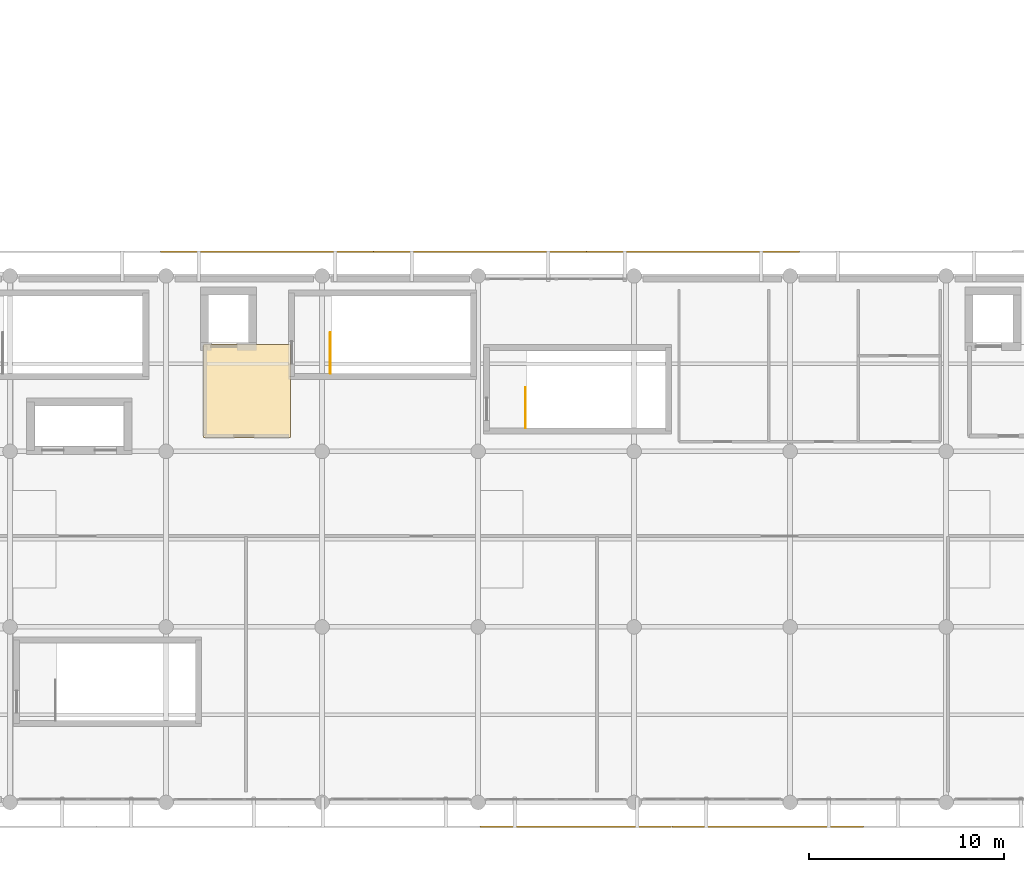
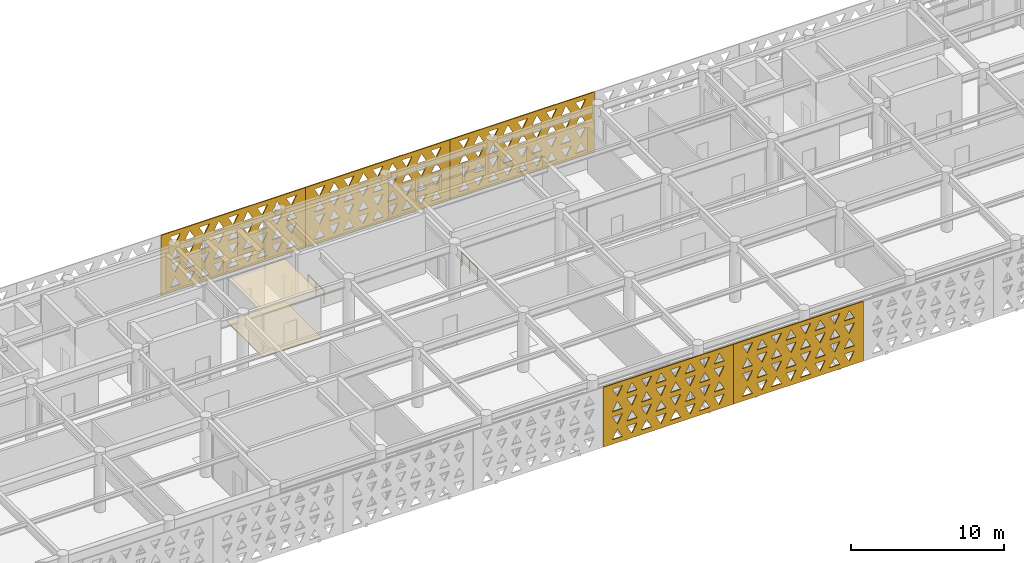
# One storey, part 24 of 26: 7 coverings, 2 railings.
"""IFC4 building model written with IfcOpenShell, lengths in metres."""

from ifc_helpers import new_model, si_unit, direction, frame, origin, origin_2d, place, context, subcontext, project, spatial, polyline, circle, outline, extrude, material, layer, layer_set, type_object, element, save


model = new_model("IFC4")

# Units and contexts
model_context = context("Model", 3, precision=1e-05, world=origin(), true_north=direction((0.0, 1.0)))
body_context = subcontext(model_context, "Body", "Model", "MODEL_VIEW")
ifc_project = project(units=[si_unit("LENGTHUNIT", "METRE"), si_unit("AREAUNIT", "SQUARE_METRE"), si_unit("VOLUMEUNIT", "CUBIC_METRE"), si_unit("PLANEANGLEUNIT", "RADIAN"), si_unit("MASSUNIT", "GRAM", prefix="KILO")], contexts=[model_context])

# Site, building, storey
site_placement = place(None, origin())
site = spatial("IfcSite", under=ifc_project, at=site_placement, CompositionType="ELEMENT")
building_placement = place(site_placement, origin())
building = spatial("IfcBuilding", under=site, at=building_placement, Name="Tlacozan Convention Centre", CompositionType="ELEMENT")
storey_placement = place(building_placement, frame((0.0, 0.0, 21.0)))
storey = spatial("IfcBuildingStorey", under=building, at=storey_placement, Name="L04", CompositionType="ELEMENT", Elevation=21.0)

# Coverings
ifc_material_1 = material(Name="Perforated Acoustic Mineral Fibre Ceiling")
ifc_layer_1 = layer(ifc_material_1, 0.02490234375)
ifc_layer_set_1 = layer_set([ifc_layer_1], Name="Perforated Acoustic Mineral Fibre Ceiling")
covering_type_1 = type_object("IfcCoveringType", Name="Acoustic Mineral Fibre Ceiling 25", PredefinedType="CEILING", material=ifc_layer_set_1)
covering_1_placement = place(storey_placement, frame((0.0, 0.0, 3.39990234375)))
element("IfcCovering", 1, at=covering_1_placement, inside=storey, type_object=covering_type_1, Name="L04 Acoustic Ceiling L04-FFL-3", PredefinedType="CEILING", context=body_context, shape_type="SweptSolid", body=[
    extrude(outline(polyline([(33.919921875, 18.719970703125), (38.3798828125, 18.719970703125), (38.3798828125, 23.47998046875), (33.919921875, 23.47998046875), (33.919921875, 18.719970703125)])), origin(), (0.0, 0.0, 1.0), 0.025146484375),
])
ifc_material_2 = material(Name="Polished Basalt Terrazzo Flooring", Category="masonry")
ifc_layer_2 = layer(ifc_material_2, 0.02001953125)
ifc_layer_set_2 = layer_set([ifc_layer_2], Name="Polished Basalt Terrazzo Flooring")
covering_type_2 = type_object("IfcCoveringType", Name="Polished Basalt Terrazzo Flooring 20", PredefinedType="FLOORING", material=ifc_layer_set_2)
covering_2_placement = place(storey_placement, origin())
element("IfcCovering", 2, at=covering_2_placement, inside=storey, type_object=covering_type_2, Name="L04 Terrazzo Flooring L04-FFL-3", PredefinedType="FLOORING", context=body_context, shape_type="SweptSolid", body=[
    extrude(outline(polyline([(33.919921875, 18.719970703125), (38.3798828125, 18.719970703125), (38.3798828125, 23.47998046875), (33.919921875, 23.47998046875), (33.919921875, 18.719970703125)])), origin(), (0.0, 0.0, 1.0), 0.02001953125),
])

# Railings
ifc_material_3 = material(Name="Architectural Painted Galvanised Steel Railing", Category="steel")
railing_type = type_object("IfcRailingType", Name="Stair Well Guardrail 1100", PredefinedType="GUARDRAIL", material=ifc_material_3)
for number, where, name in (
    (3, (40.429931640625, 22.0, 0.0), "L04 ST-04 top well guard 1"),
    (4, (50.429931640625, 19.199951171875, 0.0), "L04 ST-14 top well guard 1"),
):
    element("IfcRailing", number, at=place(storey_placement, frame(where)), inside=storey, type_object=railing_type, Name=name, PredefinedType="GUARDRAIL", context=body_context, shape_type="SweptSolid", body=[
        extrude(circle(Radius=0.02392578125, at=origin_2d()), frame((0.0, 0.0, 1.076171875), z_axis=(0.0, 1.0, 0.0), x_axis=(-1.0, 0.0, 0.0)), (0.0, 0.0, 1.0), 2.080078125),
        extrude(circle(Radius=0.02099609375, at=origin_2d()), origin(), (0.0, 0.0, 1.0), 1.052001953125),
        extrude(circle(Radius=0.02099609375, at=origin_2d()), frame((0.0, 1.0400390625, 0.0)), (0.0, 0.0, 1.0), 1.052001953125),
        extrude(circle(Radius=0.02099609375, at=origin_2d()), frame((0.0, 2.080078125, 0.0)), (0.0, 0.0, 1.0), 1.052001953125),
    ])

# Coverings
ifc_material_4 = material(Name="Toluca Fired Terracotta Masonry Solar Screen", Category="masonry")
ifc_layer_3 = layer(ifc_material_4, 0.080078125)
ifc_layer_set_3 = layer_set([ifc_layer_3], Name="Toluca Fired Terracotta Masonry Solar Screen")
covering_type_3 = type_object("IfcCoveringType", Name="Terracotta Triangle Solar Screen 80", PredefinedType="USERDEFINED", material=ifc_layer_set_3)
covering_3_placement = place(storey_placement, frame((48.10205078125, -1.25, -0.030029296875), z_axis=(0.0, 0.0, 1.0), x_axis=(1.0, 0.0, 0.0)))
element("IfcCovering", 5, at=covering_3_placement, inside=storey, type_object=covering_type_3, Name="L04 Terracotta Triangle Screen 82", ObjectType="SCREEN", PredefinedType="USERDEFINED", context=body_context, shape_type="SweptSolid", body=[
    extrude(outline(polyline([(0.0, 0.0), (9.825927734375, 0.0), (9.825927734375, 4.780029296875), (0.0, 4.780029296875), (0.0, 0.0)]), holes=[polyline([(0.677001953125, 0.360107421875), (1.448974609375, 0.360107421875), (1.06298828125, 1.074951171875), (0.677001953125, 0.360107421875)]), polyline([(1.77685546875, 1.074951171875), (2.549072265625, 1.074951171875), (2.1630859375, 0.360107421875), (1.77685546875, 1.074951171875)]), polyline([(2.876953125, 0.360107421875), (3.64892578125, 0.360107421875), (3.262939453125, 1.074951171875), (2.876953125, 0.360107421875)]), polyline([(3.97705078125, 1.074951171875), (4.7490234375, 1.074951171875), (4.363037109375, 0.360107421875), (3.97705078125, 1.074951171875)]), polyline([(5.076904296875, 0.360107421875), (5.848876953125, 0.360107421875), (5.462890625, 1.074951171875), (5.076904296875, 0.360107421875)]), polyline([(6.177001953125, 1.074951171875), (6.948974609375, 1.074951171875), (6.56298828125, 0.360107421875), (6.177001953125, 1.074951171875)]), polyline([(7.27685546875, 0.360107421875), (8.049072265625, 0.360107421875), (7.6630859375, 1.074951171875), (7.27685546875, 0.360107421875)]), polyline([(8.376953125, 1.074951171875), (9.14892578125, 1.074951171875), (8.762939453125, 0.360107421875), (8.376953125, 1.074951171875)]), polyline([(0.677001953125, 2.18994140625), (1.448974609375, 2.18994140625), (1.06298828125, 1.47509765625), (0.677001953125, 2.18994140625)]), polyline([(1.77685546875, 1.47509765625), (2.549072265625, 1.47509765625), (2.1630859375, 2.18994140625), (1.77685546875, 1.47509765625)]), polyline([(2.876953125, 2.18994140625), (3.64892578125, 2.18994140625), (3.262939453125, 1.47509765625), (2.876953125, 2.18994140625)]), polyline([(3.97705078125, 1.47509765625), (4.7490234375, 1.47509765625), (4.363037109375, 2.18994140625), (3.97705078125, 1.47509765625)]), polyline([(5.076904296875, 2.18994140625), (5.848876953125, 2.18994140625), (5.462890625, 1.47509765625), (5.076904296875, 2.18994140625)]), polyline([(6.177001953125, 1.47509765625), (6.948974609375, 1.47509765625), (6.56298828125, 2.18994140625), (6.177001953125, 1.47509765625)]), polyline([(7.27685546875, 2.18994140625), (8.049072265625, 2.18994140625), (7.6630859375, 1.47509765625), (7.27685546875, 2.18994140625)]), polyline([(8.376953125, 1.47509765625), (9.14892578125, 1.47509765625), (8.762939453125, 2.18994140625), (8.376953125, 1.47509765625)]), polyline([(0.677001953125, 2.590087890625), (1.448974609375, 2.590087890625), (1.06298828125, 3.304931640625), (0.677001953125, 2.590087890625)]), polyline([(1.77685546875, 3.304931640625), (2.549072265625, 3.304931640625), (2.1630859375, 2.590087890625), (1.77685546875, 3.304931640625)]), polyline([(2.876953125, 2.590087890625), (3.64892578125, 2.590087890625), (3.262939453125, 3.304931640625), (2.876953125, 2.590087890625)]), polyline([(3.97705078125, 3.304931640625), (4.7490234375, 3.304931640625), (4.363037109375, 2.590087890625), (3.97705078125, 3.304931640625)]), polyline([(5.076904296875, 2.590087890625), (5.848876953125, 2.590087890625), (5.462890625, 3.304931640625), (5.076904296875, 2.590087890625)]), polyline([(6.177001953125, 3.304931640625), (6.948974609375, 3.304931640625), (6.56298828125, 2.590087890625), (6.177001953125, 3.304931640625)]), polyline([(7.27685546875, 2.590087890625), (8.049072265625, 2.590087890625), (7.6630859375, 3.304931640625), (7.27685546875, 2.590087890625)]), polyline([(8.376953125, 3.304931640625), (9.14892578125, 3.304931640625), (8.762939453125, 2.590087890625), (8.376953125, 3.304931640625)]), polyline([(0.677001953125, 4.419921875), (1.448974609375, 4.419921875), (1.06298828125, 3.705078125), (0.677001953125, 4.419921875)]), polyline([(1.77685546875, 3.705078125), (2.549072265625, 3.705078125), (2.1630859375, 4.419921875), (1.77685546875, 3.705078125)]), polyline([(2.876953125, 4.419921875), (3.64892578125, 4.419921875), (3.262939453125, 3.705078125), (2.876953125, 4.419921875)]), polyline([(3.97705078125, 3.705078125), (4.7490234375, 3.705078125), (4.363037109375, 4.419921875), (3.97705078125, 3.705078125)]), polyline([(5.076904296875, 4.419921875), (5.848876953125, 4.419921875), (5.462890625, 3.705078125), (5.076904296875, 4.419921875)]), polyline([(6.177001953125, 3.705078125), (6.948974609375, 3.705078125), (6.56298828125, 4.419921875), (6.177001953125, 3.705078125)]), polyline([(7.27685546875, 4.419921875), (8.049072265625, 4.419921875), (7.6630859375, 3.705078125), (7.27685546875, 4.419921875)]), polyline([(8.376953125, 3.705078125), (9.14892578125, 3.705078125), (8.762939453125, 4.419921875), (8.376953125, 3.705078125)])]), frame((0.0, 0.0400390625, 0.0), z_axis=(0.0, -1.0, 0.0), x_axis=(1.0, 0.0, 0.0)), (0.0, 0.0, 1.0), 0.080078125),
])
covering_4_placement = place(storey_placement, frame((57.931884765625, -1.25, -0.030029296875), z_axis=(0.0, 0.0, 1.0), x_axis=(1.0, 0.0, 0.0)))
element("IfcCovering", 6, at=covering_4_placement, inside=storey, type_object=covering_type_3, Name="L04 Terracotta Triangle Screen 83", ObjectType="SCREEN", PredefinedType="USERDEFINED", context=body_context, shape_type="SweptSolid", body=[
    extrude(outline(polyline([(0.0, 0.0), (9.826171875, 0.0), (9.826171875, 4.780029296875), (0.0, 4.780029296875), (0.0, 0.0)]), holes=[polyline([(0.677001953125, 0.360107421875), (1.44921875, 0.360107421875), (1.06298828125, 1.074951171875), (0.677001953125, 0.360107421875)]), polyline([(1.777099609375, 1.074951171875), (2.549072265625, 1.074951171875), (2.1630859375, 0.360107421875), (1.777099609375, 1.074951171875)]), polyline([(2.876953125, 0.360107421875), (3.649169921875, 0.360107421875), (3.26318359375, 1.074951171875), (2.876953125, 0.360107421875)]), polyline([(3.97705078125, 1.074951171875), (4.7490234375, 1.074951171875), (4.363037109375, 0.360107421875), (3.97705078125, 1.074951171875)]), polyline([(5.0771484375, 0.360107421875), (5.84912109375, 0.360107421875), (5.463134765625, 1.074951171875), (5.0771484375, 0.360107421875)]), polyline([(6.177001953125, 1.074951171875), (6.94921875, 1.074951171875), (6.56298828125, 0.360107421875), (6.177001953125, 1.074951171875)]), polyline([(7.277099609375, 0.360107421875), (8.049072265625, 0.360107421875), (7.6630859375, 1.074951171875), (7.277099609375, 0.360107421875)]), polyline([(8.376953125, 1.074951171875), (9.149169921875, 1.074951171875), (8.76318359375, 0.360107421875), (8.376953125, 1.074951171875)]), polyline([(0.677001953125, 2.18994140625), (1.44921875, 2.18994140625), (1.06298828125, 1.47509765625), (0.677001953125, 2.18994140625)]), polyline([(1.777099609375, 1.47509765625), (2.549072265625, 1.47509765625), (2.1630859375, 2.18994140625), (1.777099609375, 1.47509765625)]), polyline([(2.876953125, 2.18994140625), (3.649169921875, 2.18994140625), (3.26318359375, 1.47509765625), (2.876953125, 2.18994140625)]), polyline([(3.97705078125, 1.47509765625), (4.7490234375, 1.47509765625), (4.363037109375, 2.18994140625), (3.97705078125, 1.47509765625)]), polyline([(5.0771484375, 2.18994140625), (5.84912109375, 2.18994140625), (5.463134765625, 1.47509765625), (5.0771484375, 2.18994140625)]), polyline([(6.177001953125, 1.47509765625), (6.94921875, 1.47509765625), (6.56298828125, 2.18994140625), (6.177001953125, 1.47509765625)]), polyline([(7.277099609375, 2.18994140625), (8.049072265625, 2.18994140625), (7.6630859375, 1.47509765625), (7.277099609375, 2.18994140625)]), polyline([(8.376953125, 1.47509765625), (9.149169921875, 1.47509765625), (8.76318359375, 2.18994140625), (8.376953125, 1.47509765625)]), polyline([(0.677001953125, 2.590087890625), (1.44921875, 2.590087890625), (1.06298828125, 3.304931640625), (0.677001953125, 2.590087890625)]), polyline([(1.777099609375, 3.304931640625), (2.549072265625, 3.304931640625), (2.1630859375, 2.590087890625), (1.777099609375, 3.304931640625)]), polyline([(2.876953125, 2.590087890625), (3.649169921875, 2.590087890625), (3.26318359375, 3.304931640625), (2.876953125, 2.590087890625)]), polyline([(3.97705078125, 3.304931640625), (4.7490234375, 3.304931640625), (4.363037109375, 2.590087890625), (3.97705078125, 3.304931640625)]), polyline([(5.0771484375, 2.590087890625), (5.84912109375, 2.590087890625), (5.463134765625, 3.304931640625), (5.0771484375, 2.590087890625)]), polyline([(6.177001953125, 3.304931640625), (6.94921875, 3.304931640625), (6.56298828125, 2.590087890625), (6.177001953125, 3.304931640625)]), polyline([(7.277099609375, 2.590087890625), (8.049072265625, 2.590087890625), (7.6630859375, 3.304931640625), (7.277099609375, 2.590087890625)]), polyline([(8.376953125, 3.304931640625), (9.149169921875, 3.304931640625), (8.76318359375, 2.590087890625), (8.376953125, 3.304931640625)]), polyline([(0.677001953125, 4.419921875), (1.44921875, 4.419921875), (1.06298828125, 3.705078125), (0.677001953125, 4.419921875)]), polyline([(1.777099609375, 3.705078125), (2.549072265625, 3.705078125), (2.1630859375, 4.419921875), (1.777099609375, 3.705078125)]), polyline([(2.876953125, 4.419921875), (3.649169921875, 4.419921875), (3.26318359375, 3.705078125), (2.876953125, 4.419921875)]), polyline([(3.97705078125, 3.705078125), (4.7490234375, 3.705078125), (4.363037109375, 4.419921875), (3.97705078125, 3.705078125)]), polyline([(5.0771484375, 4.419921875), (5.84912109375, 4.419921875), (5.463134765625, 3.705078125), (5.0771484375, 4.419921875)]), polyline([(6.177001953125, 3.705078125), (6.94921875, 3.705078125), (6.56298828125, 4.419921875), (6.177001953125, 3.705078125)]), polyline([(7.277099609375, 4.419921875), (8.049072265625, 4.419921875), (7.6630859375, 3.705078125), (7.277099609375, 4.419921875)]), polyline([(8.376953125, 3.705078125), (9.149169921875, 3.705078125), (8.76318359375, 4.419921875), (8.376953125, 3.705078125)])]), frame((0.0, 0.0400390625, 0.0), z_axis=(0.0, -1.0, 0.0), x_axis=(1.0, 0.0, 0.0)), (0.0, 0.0, 1.0), 0.080078125),
])
covering_5_placement = place(storey_placement, frame((31.71875, 28.25, -0.030029296875), z_axis=(0.0, 0.0, 1.0), x_axis=(1.0, 0.0, 0.0)))
element("IfcCovering", 7, at=covering_5_placement, inside=storey, type_object=covering_type_3, Name="L04 Terracotta Triangle Screen 96", ObjectType="SCREEN", PredefinedType="USERDEFINED", context=body_context, shape_type="SweptSolid", body=[
    extrude(outline(polyline([(0.0, 0.0), (10.918212890625, 0.0), (10.918212890625, 4.780029296875), (0.0, 4.780029296875), (0.0, 0.0)]), holes=[polyline([(0.673095703125, 0.360107421875), (1.445068359375, 0.360107421875), (1.05908203125, 1.074951171875), (0.673095703125, 0.360107421875)]), polyline([(1.773193359375, 1.074951171875), (2.545166015625, 1.074951171875), (2.1591796875, 0.360107421875), (1.773193359375, 1.074951171875)]), polyline([(2.873046875, 0.360107421875), (3.64501953125, 0.360107421875), (3.259033203125, 1.074951171875), (2.873046875, 0.360107421875)]), polyline([(3.97314453125, 1.074951171875), (4.7451171875, 1.074951171875), (4.359130859375, 0.360107421875), (3.97314453125, 1.074951171875)]), polyline([(5.072998046875, 0.360107421875), (5.84521484375, 0.360107421875), (5.458984375, 1.074951171875), (5.072998046875, 0.360107421875)]), polyline([(6.173095703125, 1.074951171875), (6.945068359375, 1.074951171875), (6.55908203125, 0.360107421875), (6.173095703125, 1.074951171875)]), polyline([(7.273193359375, 0.360107421875), (8.045166015625, 0.360107421875), (7.6591796875, 1.074951171875), (7.273193359375, 0.360107421875)]), polyline([(8.373046875, 1.074951171875), (9.14501953125, 1.074951171875), (8.759033203125, 0.360107421875), (8.373046875, 1.074951171875)]), polyline([(9.47314453125, 0.360107421875), (10.2451171875, 0.360107421875), (9.859130859375, 1.074951171875), (9.47314453125, 0.360107421875)]), polyline([(0.673095703125, 2.18994140625), (1.445068359375, 2.18994140625), (1.05908203125, 1.47509765625), (0.673095703125, 2.18994140625)]), polyline([(1.773193359375, 1.47509765625), (2.545166015625, 1.47509765625), (2.1591796875, 2.18994140625), (1.773193359375, 1.47509765625)]), polyline([(2.873046875, 2.18994140625), (3.64501953125, 2.18994140625), (3.259033203125, 1.47509765625), (2.873046875, 2.18994140625)]), polyline([(3.97314453125, 1.47509765625), (4.7451171875, 1.47509765625), (4.359130859375, 2.18994140625), (3.97314453125, 1.47509765625)]), polyline([(5.072998046875, 2.18994140625), (5.84521484375, 2.18994140625), (5.458984375, 1.47509765625), (5.072998046875, 2.18994140625)]), polyline([(6.173095703125, 1.47509765625), (6.945068359375, 1.47509765625), (6.55908203125, 2.18994140625), (6.173095703125, 1.47509765625)]), polyline([(7.273193359375, 2.18994140625), (8.045166015625, 2.18994140625), (7.6591796875, 1.47509765625), (7.273193359375, 2.18994140625)]), polyline([(8.373046875, 1.47509765625), (9.14501953125, 1.47509765625), (8.759033203125, 2.18994140625), (8.373046875, 1.47509765625)]), polyline([(9.47314453125, 2.18994140625), (10.2451171875, 2.18994140625), (9.859130859375, 1.47509765625), (9.47314453125, 2.18994140625)]), polyline([(0.673095703125, 2.590087890625), (1.445068359375, 2.590087890625), (1.05908203125, 3.304931640625), (0.673095703125, 2.590087890625)]), polyline([(1.773193359375, 3.304931640625), (2.545166015625, 3.304931640625), (2.1591796875, 2.590087890625), (1.773193359375, 3.304931640625)]), polyline([(2.873046875, 2.590087890625), (3.64501953125, 2.590087890625), (3.259033203125, 3.304931640625), (2.873046875, 2.590087890625)]), polyline([(3.97314453125, 3.304931640625), (4.7451171875, 3.304931640625), (4.359130859375, 2.590087890625), (3.97314453125, 3.304931640625)]), polyline([(5.072998046875, 2.590087890625), (5.84521484375, 2.590087890625), (5.458984375, 3.304931640625), (5.072998046875, 2.590087890625)]), polyline([(6.173095703125, 3.304931640625), (6.945068359375, 3.304931640625), (6.55908203125, 2.590087890625), (6.173095703125, 3.304931640625)]), polyline([(7.273193359375, 2.590087890625), (8.045166015625, 2.590087890625), (7.6591796875, 3.304931640625), (7.273193359375, 2.590087890625)]), polyline([(8.373046875, 3.304931640625), (9.14501953125, 3.304931640625), (8.759033203125, 2.590087890625), (8.373046875, 3.304931640625)]), polyline([(9.47314453125, 2.590087890625), (10.2451171875, 2.590087890625), (9.859130859375, 3.304931640625), (9.47314453125, 2.590087890625)]), polyline([(0.673095703125, 4.419921875), (1.445068359375, 4.419921875), (1.05908203125, 3.705078125), (0.673095703125, 4.419921875)]), polyline([(1.773193359375, 3.705078125), (2.545166015625, 3.705078125), (2.1591796875, 4.419921875), (1.773193359375, 3.705078125)]), polyline([(2.873046875, 4.419921875), (3.64501953125, 4.419921875), (3.259033203125, 3.705078125), (2.873046875, 4.419921875)]), polyline([(3.97314453125, 3.705078125), (4.7451171875, 3.705078125), (4.359130859375, 4.419921875), (3.97314453125, 3.705078125)]), polyline([(5.072998046875, 4.419921875), (5.84521484375, 4.419921875), (5.458984375, 3.705078125), (5.072998046875, 4.419921875)]), polyline([(6.173095703125, 3.705078125), (6.945068359375, 3.705078125), (6.55908203125, 4.419921875), (6.173095703125, 3.705078125)]), polyline([(7.273193359375, 4.419921875), (8.045166015625, 4.419921875), (7.6591796875, 3.705078125), (7.273193359375, 4.419921875)]), polyline([(8.373046875, 3.705078125), (9.14501953125, 3.705078125), (8.759033203125, 4.419921875), (8.373046875, 3.705078125)]), polyline([(9.47314453125, 4.419921875), (10.2451171875, 4.419921875), (9.859130859375, 3.705078125), (9.47314453125, 4.419921875)])]), frame((0.0, 0.0400390625, 0.0), z_axis=(0.0, -1.0, 0.0), x_axis=(1.0, 0.0, 0.0)), (0.0, 0.0, 1.0), 0.080078125),
])
covering_6_placement = place(storey_placement, frame((42.640869140625, 28.25, -0.030029296875), z_axis=(0.0, 0.0, 1.0), x_axis=(1.0, 0.0, 0.0)))
element("IfcCovering", 8, at=covering_6_placement, inside=storey, type_object=covering_type_3, Name="L04 Terracotta Triangle Screen 97", ObjectType="SCREEN", PredefinedType="USERDEFINED", context=body_context, shape_type="SweptSolid", body=[
    extrude(outline(polyline([(0.0, 0.0), (10.918212890625, 0.0), (10.918212890625, 4.780029296875), (0.0, 4.780029296875), (0.0, 0.0)]), holes=[polyline([(0.673095703125, 0.360107421875), (1.445068359375, 0.360107421875), (1.05908203125, 1.074951171875), (0.673095703125, 0.360107421875)]), polyline([(1.773193359375, 1.074951171875), (2.545166015625, 1.074951171875), (2.1591796875, 0.360107421875), (1.773193359375, 1.074951171875)]), polyline([(2.873046875, 0.360107421875), (3.64501953125, 0.360107421875), (3.259033203125, 1.074951171875), (2.873046875, 0.360107421875)]), polyline([(3.97314453125, 1.074951171875), (4.7451171875, 1.074951171875), (4.359130859375, 0.360107421875), (3.97314453125, 1.074951171875)]), polyline([(5.072998046875, 0.360107421875), (5.84521484375, 0.360107421875), (5.458984375, 1.074951171875), (5.072998046875, 0.360107421875)]), polyline([(6.173095703125, 1.074951171875), (6.945068359375, 1.074951171875), (6.55908203125, 0.360107421875), (6.173095703125, 1.074951171875)]), polyline([(7.273193359375, 0.360107421875), (8.045166015625, 0.360107421875), (7.6591796875, 1.074951171875), (7.273193359375, 0.360107421875)]), polyline([(8.373046875, 1.074951171875), (9.14501953125, 1.074951171875), (8.759033203125, 0.360107421875), (8.373046875, 1.074951171875)]), polyline([(9.47314453125, 0.360107421875), (10.2451171875, 0.360107421875), (9.859130859375, 1.074951171875), (9.47314453125, 0.360107421875)]), polyline([(0.673095703125, 2.18994140625), (1.445068359375, 2.18994140625), (1.05908203125, 1.47509765625), (0.673095703125, 2.18994140625)]), polyline([(1.773193359375, 1.47509765625), (2.545166015625, 1.47509765625), (2.1591796875, 2.18994140625), (1.773193359375, 1.47509765625)]), polyline([(2.873046875, 2.18994140625), (3.64501953125, 2.18994140625), (3.259033203125, 1.47509765625), (2.873046875, 2.18994140625)]), polyline([(3.97314453125, 1.47509765625), (4.7451171875, 1.47509765625), (4.359130859375, 2.18994140625), (3.97314453125, 1.47509765625)]), polyline([(5.072998046875, 2.18994140625), (5.84521484375, 2.18994140625), (5.458984375, 1.47509765625), (5.072998046875, 2.18994140625)]), polyline([(6.173095703125, 1.47509765625), (6.945068359375, 1.47509765625), (6.55908203125, 2.18994140625), (6.173095703125, 1.47509765625)]), polyline([(7.273193359375, 2.18994140625), (8.045166015625, 2.18994140625), (7.6591796875, 1.47509765625), (7.273193359375, 2.18994140625)]), polyline([(8.373046875, 1.47509765625), (9.14501953125, 1.47509765625), (8.759033203125, 2.18994140625), (8.373046875, 1.47509765625)]), polyline([(9.47314453125, 2.18994140625), (10.2451171875, 2.18994140625), (9.859130859375, 1.47509765625), (9.47314453125, 2.18994140625)]), polyline([(0.673095703125, 2.590087890625), (1.445068359375, 2.590087890625), (1.05908203125, 3.304931640625), (0.673095703125, 2.590087890625)]), polyline([(1.773193359375, 3.304931640625), (2.545166015625, 3.304931640625), (2.1591796875, 2.590087890625), (1.773193359375, 3.304931640625)]), polyline([(2.873046875, 2.590087890625), (3.64501953125, 2.590087890625), (3.259033203125, 3.304931640625), (2.873046875, 2.590087890625)]), polyline([(3.97314453125, 3.304931640625), (4.7451171875, 3.304931640625), (4.359130859375, 2.590087890625), (3.97314453125, 3.304931640625)]), polyline([(5.072998046875, 2.590087890625), (5.84521484375, 2.590087890625), (5.458984375, 3.304931640625), (5.072998046875, 2.590087890625)]), polyline([(6.173095703125, 3.304931640625), (6.945068359375, 3.304931640625), (6.55908203125, 2.590087890625), (6.173095703125, 3.304931640625)]), polyline([(7.273193359375, 2.590087890625), (8.045166015625, 2.590087890625), (7.6591796875, 3.304931640625), (7.273193359375, 2.590087890625)]), polyline([(8.373046875, 3.304931640625), (9.14501953125, 3.304931640625), (8.759033203125, 2.590087890625), (8.373046875, 3.304931640625)]), polyline([(9.47314453125, 2.590087890625), (10.2451171875, 2.590087890625), (9.859130859375, 3.304931640625), (9.47314453125, 2.590087890625)]), polyline([(0.673095703125, 4.419921875), (1.445068359375, 4.419921875), (1.05908203125, 3.705078125), (0.673095703125, 4.419921875)]), polyline([(1.773193359375, 3.705078125), (2.545166015625, 3.705078125), (2.1591796875, 4.419921875), (1.773193359375, 3.705078125)]), polyline([(2.873046875, 4.419921875), (3.64501953125, 4.419921875), (3.259033203125, 3.705078125), (2.873046875, 4.419921875)]), polyline([(3.97314453125, 3.705078125), (4.7451171875, 3.705078125), (4.359130859375, 4.419921875), (3.97314453125, 3.705078125)]), polyline([(5.072998046875, 4.419921875), (5.84521484375, 4.419921875), (5.458984375, 3.705078125), (5.072998046875, 4.419921875)]), polyline([(6.173095703125, 3.705078125), (6.945068359375, 3.705078125), (6.55908203125, 4.419921875), (6.173095703125, 3.705078125)]), polyline([(7.273193359375, 4.419921875), (8.045166015625, 4.419921875), (7.6591796875, 3.705078125), (7.273193359375, 4.419921875)]), polyline([(8.373046875, 3.705078125), (9.14501953125, 3.705078125), (8.759033203125, 4.419921875), (8.373046875, 3.705078125)]), polyline([(9.47314453125, 4.419921875), (10.2451171875, 4.419921875), (9.859130859375, 3.705078125), (9.47314453125, 4.419921875)])]), frame((0.0, 0.0400390625, 0.0), z_axis=(0.0, -1.0, 0.0), x_axis=(1.0, 0.0, 0.0)), (0.0, 0.0, 1.0), 0.080078125),
])
covering_7_placement = place(storey_placement, frame((53.56298828125, 28.25, -0.030029296875), z_axis=(0.0, 0.0, 1.0), x_axis=(1.0, 0.0, 0.0)))
element("IfcCovering", 9, at=covering_7_placement, inside=storey, type_object=covering_type_3, Name="L04 Terracotta Triangle Screen 98", ObjectType="SCREEN", PredefinedType="USERDEFINED", context=body_context, shape_type="SweptSolid", body=[
    extrude(outline(polyline([(0.0, 0.0), (10.918212890625, 0.0), (10.918212890625, 4.780029296875), (0.0, 4.780029296875), (0.0, 0.0)]), holes=[polyline([(0.673095703125, 0.360107421875), (1.445068359375, 0.360107421875), (1.05908203125, 1.074951171875), (0.673095703125, 0.360107421875)]), polyline([(1.773193359375, 1.074951171875), (2.545166015625, 1.074951171875), (2.1591796875, 0.360107421875), (1.773193359375, 1.074951171875)]), polyline([(2.873046875, 0.360107421875), (3.64501953125, 0.360107421875), (3.259033203125, 1.074951171875), (2.873046875, 0.360107421875)]), polyline([(3.97314453125, 1.074951171875), (4.7451171875, 1.074951171875), (4.359130859375, 0.360107421875), (3.97314453125, 1.074951171875)]), polyline([(5.072998046875, 0.360107421875), (5.84521484375, 0.360107421875), (5.458984375, 1.074951171875), (5.072998046875, 0.360107421875)]), polyline([(6.173095703125, 1.074951171875), (6.945068359375, 1.074951171875), (6.55908203125, 0.360107421875), (6.173095703125, 1.074951171875)]), polyline([(7.273193359375, 0.360107421875), (8.045166015625, 0.360107421875), (7.6591796875, 1.074951171875), (7.273193359375, 0.360107421875)]), polyline([(8.373046875, 1.074951171875), (9.14501953125, 1.074951171875), (8.759033203125, 0.360107421875), (8.373046875, 1.074951171875)]), polyline([(9.47314453125, 0.360107421875), (10.2451171875, 0.360107421875), (9.859130859375, 1.074951171875), (9.47314453125, 0.360107421875)]), polyline([(0.673095703125, 2.18994140625), (1.445068359375, 2.18994140625), (1.05908203125, 1.47509765625), (0.673095703125, 2.18994140625)]), polyline([(1.773193359375, 1.47509765625), (2.545166015625, 1.47509765625), (2.1591796875, 2.18994140625), (1.773193359375, 1.47509765625)]), polyline([(2.873046875, 2.18994140625), (3.64501953125, 2.18994140625), (3.259033203125, 1.47509765625), (2.873046875, 2.18994140625)]), polyline([(3.97314453125, 1.47509765625), (4.7451171875, 1.47509765625), (4.359130859375, 2.18994140625), (3.97314453125, 1.47509765625)]), polyline([(5.072998046875, 2.18994140625), (5.84521484375, 2.18994140625), (5.458984375, 1.47509765625), (5.072998046875, 2.18994140625)]), polyline([(6.173095703125, 1.47509765625), (6.945068359375, 1.47509765625), (6.55908203125, 2.18994140625), (6.173095703125, 1.47509765625)]), polyline([(7.273193359375, 2.18994140625), (8.045166015625, 2.18994140625), (7.6591796875, 1.47509765625), (7.273193359375, 2.18994140625)]), polyline([(8.373046875, 1.47509765625), (9.14501953125, 1.47509765625), (8.759033203125, 2.18994140625), (8.373046875, 1.47509765625)]), polyline([(9.47314453125, 2.18994140625), (10.2451171875, 2.18994140625), (9.859130859375, 1.47509765625), (9.47314453125, 2.18994140625)]), polyline([(0.673095703125, 2.590087890625), (1.445068359375, 2.590087890625), (1.05908203125, 3.304931640625), (0.673095703125, 2.590087890625)]), polyline([(1.773193359375, 3.304931640625), (2.545166015625, 3.304931640625), (2.1591796875, 2.590087890625), (1.773193359375, 3.304931640625)]), polyline([(2.873046875, 2.590087890625), (3.64501953125, 2.590087890625), (3.259033203125, 3.304931640625), (2.873046875, 2.590087890625)]), polyline([(3.97314453125, 3.304931640625), (4.7451171875, 3.304931640625), (4.359130859375, 2.590087890625), (3.97314453125, 3.304931640625)]), polyline([(5.072998046875, 2.590087890625), (5.84521484375, 2.590087890625), (5.458984375, 3.304931640625), (5.072998046875, 2.590087890625)]), polyline([(6.173095703125, 3.304931640625), (6.945068359375, 3.304931640625), (6.55908203125, 2.590087890625), (6.173095703125, 3.304931640625)]), polyline([(7.273193359375, 2.590087890625), (8.045166015625, 2.590087890625), (7.6591796875, 3.304931640625), (7.273193359375, 2.590087890625)]), polyline([(8.373046875, 3.304931640625), (9.14501953125, 3.304931640625), (8.759033203125, 2.590087890625), (8.373046875, 3.304931640625)]), polyline([(9.47314453125, 2.590087890625), (10.2451171875, 2.590087890625), (9.859130859375, 3.304931640625), (9.47314453125, 2.590087890625)]), polyline([(0.673095703125, 4.419921875), (1.445068359375, 4.419921875), (1.05908203125, 3.705078125), (0.673095703125, 4.419921875)]), polyline([(1.773193359375, 3.705078125), (2.545166015625, 3.705078125), (2.1591796875, 4.419921875), (1.773193359375, 3.705078125)]), polyline([(2.873046875, 4.419921875), (3.64501953125, 4.419921875), (3.259033203125, 3.705078125), (2.873046875, 4.419921875)]), polyline([(3.97314453125, 3.705078125), (4.7451171875, 3.705078125), (4.359130859375, 4.419921875), (3.97314453125, 3.705078125)]), polyline([(5.072998046875, 4.419921875), (5.84521484375, 4.419921875), (5.458984375, 3.705078125), (5.072998046875, 4.419921875)]), polyline([(6.173095703125, 3.705078125), (6.945068359375, 3.705078125), (6.55908203125, 4.419921875), (6.173095703125, 3.705078125)]), polyline([(7.273193359375, 4.419921875), (8.045166015625, 4.419921875), (7.6591796875, 3.705078125), (7.273193359375, 4.419921875)]), polyline([(8.373046875, 3.705078125), (9.14501953125, 3.705078125), (8.759033203125, 4.419921875), (8.373046875, 3.705078125)]), polyline([(9.47314453125, 4.419921875), (10.2451171875, 4.419921875), (9.859130859375, 3.705078125), (9.47314453125, 4.419921875)])]), frame((0.0, 0.0400390625, 0.0), z_axis=(0.0, -1.0, 0.0), x_axis=(1.0, 0.0, 0.0)), (0.0, 0.0, 1.0), 0.080078125),
])

save(model, "model.ifc")
